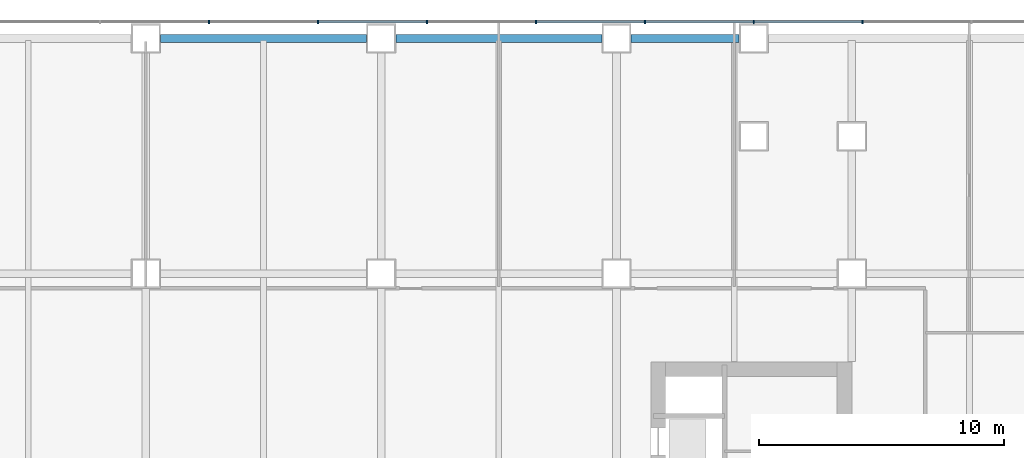
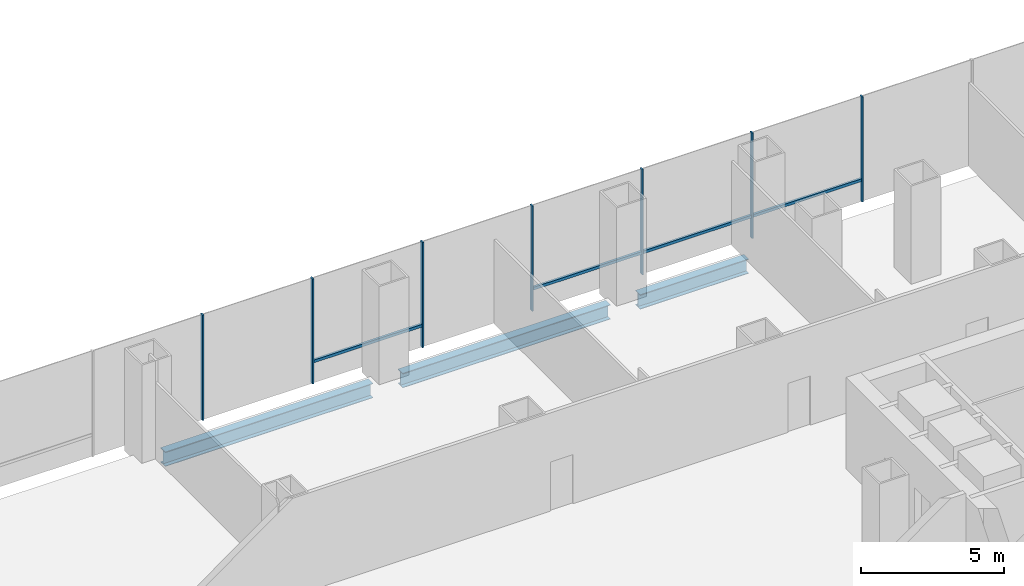
# One storey, part 11 of 23: 11 members, 3 beams, 1 element without a shape of its own.
"""IFC4 building model written with IfcOpenShell, lengths in metres."""

from ifc_helpers import new_model, si_unit, direction, frame, origin, origin_2d, place, context, subcontext, project, spatial, rectangle, i_section, extrude, material, material_profile, profile_set, type_object, element, aggregate, save


model = new_model("IFC4")

# Units and contexts
model_context = context("Model", 3, precision=1e-05, world=origin(), true_north=direction((0.0, 1.0)))
body_context = subcontext(model_context, "Body", "Model", "MODEL_VIEW")
ifc_project = project(units=[si_unit("LENGTHUNIT", "METRE"), si_unit("AREAUNIT", "SQUARE_METRE"), si_unit("VOLUMEUNIT", "CUBIC_METRE"), si_unit("PLANEANGLEUNIT", "RADIAN"), si_unit("MASSUNIT", "GRAM", prefix="KILO")], contexts=[model_context])

# Site, building, storey
site_placement = place(None, origin())
site = spatial("IfcSite", under=ifc_project, at=site_placement, CompositionType="ELEMENT")
building_placement = place(site_placement, origin())
building = spatial("IfcBuilding", under=site, at=building_placement, Name="Cobrizo Arcos Hotel Tower", CompositionType="ELEMENT")
storey_placement = place(building_placement, frame((0.0, 0.0, 29.0)))
storey = spatial("IfcBuildingStorey", under=building, at=storey_placement, Name="L05", CompositionType="ELEMENT", Elevation=29.0)

# Curtain wall, members
ifc_material_1 = material(Name="Aluminium 6063-T6 anodised bronze", Category="aluminium")
curtain_wall_type = type_object("IfcCurtainWallType", Name="CW-A guest facade", PredefinedType="NOTDEFINED", material=ifc_material_1)
curtain_wall_placement = place(storey_placement, origin())
curtain_wall = element("IfcCurtainWall", 1, at=curtain_wall_placement, inside=storey, type_object=curtain_wall_type, Name="CW-A L05 N face", PredefinedType="NOTDEFINED")
ifc_material_profile_1 = material_profile(ifc_material_1, rectangle(XDim=0.14990234375, YDim=0.06005859375, at=origin_2d()), Name="CW-A mullion 150x60")
ifc_profile_set_1 = profile_set([ifc_material_profile_1], Name="Aluminium 6063-T6 anodised bronze")
member_type_1 = type_object("IfcMemberType", Name="CW-A mullion 150x60", PredefinedType="MULLION", material=ifc_profile_set_1)
member_1_placement = place(storey_placement, frame((24.4443359375, 24.675048828125, 0.0), z_axis=(0.0, 0.0, 1.0), x_axis=(0.0, 1.0, 0.0)))
member_1 = element("IfcMember", 2, at=member_1_placement, type_object=member_type_1, Name="CW-A mullion 4", PredefinedType="MULLION", context=body_context, shape_type="SweptSolid", body=[
    extrude(rectangle(XDim=0.14990234375, YDim=0.06005859375, at=origin_2d()), origin(), (0.0, 0.0, 1.0), 4.5),
])
member_2_placement = place(storey_placement, frame((20.0, 24.675048828125, 0.0), z_axis=(0.0, 0.0, 1.0), x_axis=(0.0, 1.0, 0.0)))
member_2 = element("IfcMember", 3, at=member_2_placement, type_object=member_type_1, Name="CW-A mullion 5", PredefinedType="MULLION", context=body_context, shape_type="SweptSolid", body=[
    extrude(rectangle(XDim=0.14990234375, YDim=0.06005859375, at=origin_2d()), origin(), (0.0, 0.0, 1.0), 4.5),
])
member_3_placement = place(storey_placement, frame((15.5556640625, 24.675048828125, 0.0), z_axis=(0.0, 0.0, 1.0), x_axis=(0.0, 1.0, 0.0)))
member_3 = element("IfcMember", 4, at=member_3_placement, type_object=member_type_1, Name="CW-A mullion 6", PredefinedType="MULLION", context=body_context, shape_type="SweptSolid", body=[
    extrude(rectangle(XDim=0.14990234375, YDim=0.06005859375, at=origin_2d()), origin(), (0.0, 0.0, 1.0), 4.5),
])
member_4_placement = place(storey_placement, frame((11.111083984375, 24.675048828125, 0.0), z_axis=(0.0, 0.0, 1.0), x_axis=(0.0, 1.0, 0.0)))
member_4 = element("IfcMember", 5, at=member_4_placement, type_object=member_type_1, Name="CW-A mullion 7", PredefinedType="MULLION", context=body_context, shape_type="SweptSolid", body=[
    extrude(rectangle(XDim=0.14990234375, YDim=0.06005859375, at=origin_2d()), origin(), (0.0, 0.0, 1.0), 4.5),
])
member_5_placement = place(storey_placement, frame((6.666748046875, 24.675048828125, 0.0), z_axis=(0.0, 0.0, 1.0), x_axis=(0.0, 1.0, 0.0)))
member_5 = element("IfcMember", 6, at=member_5_placement, type_object=member_type_1, Name="CW-A mullion 8", PredefinedType="MULLION", context=body_context, shape_type="SweptSolid", body=[
    extrude(rectangle(XDim=0.14990234375, YDim=0.06005859375, at=origin_2d()), origin(), (0.0, 0.0, 1.0), 4.5),
])
member_6_placement = place(storey_placement, frame((2.22216796875, 24.675048828125, 0.0), z_axis=(0.0, 0.0, 1.0), x_axis=(0.0, 1.0, 0.0)))
member_6 = element("IfcMember", 7, at=member_6_placement, type_object=member_type_1, Name="CW-A mullion 9", PredefinedType="MULLION", context=body_context, shape_type="SweptSolid", body=[
    extrude(rectangle(XDim=0.14990234375, YDim=0.06005859375, at=origin_2d()), origin(), (0.0, 0.0, 1.0), 4.5),
])
member_7_placement = place(storey_placement, frame((-2.22216796875, 24.675048828125, 0.0), z_axis=(0.0, 0.0, 1.0), x_axis=(0.0, 1.0, 0.0)))
member_7 = element("IfcMember", 8, at=member_7_placement, type_object=member_type_1, Name="CW-A mullion 10", PredefinedType="MULLION", context=body_context, shape_type="SweptSolid", body=[
    extrude(rectangle(XDim=0.14990234375, YDim=0.06005859375, at=origin_2d()), origin(), (0.0, 0.0, 1.0), 4.5),
])
ifc_material_profile_2 = material_profile(ifc_material_1, rectangle(XDim=0.10009765625, YDim=0.1201171875, at=origin_2d()), Name="CW-A transom 120x100")
ifc_profile_set_2 = profile_set([ifc_material_profile_2], Name="Aluminium 6063-T6 anodised bronze")
member_type_2 = type_object("IfcMemberType", Name="CW-A transom 120x100", PredefinedType="USERDEFINED", material=ifc_profile_set_2)
member_8_placement = place(storey_placement, frame((24.41455078125, 24.675048828125, 0.929931640625), z_axis=(-1.0, 0.0, 0.0), x_axis=(0.0, -1.0, 0.0)))
member_8 = element("IfcMember", 9, at=member_8_placement, type_object=member_type_2, Name="CW-A transom 282", ObjectType="TRANSOM", PredefinedType="USERDEFINED", context=body_context, shape_type="SweptSolid", body=[
    extrude(rectangle(XDim=0.10009765625, YDim=0.1201171875, at=origin_2d()), origin(), (0.0, 0.0, 1.0), 4.384521484375),
])
member_9_placement = place(storey_placement, frame((19.969970703125, 24.675048828125, 0.929931640625), z_axis=(-1.0, 0.0, 0.0), x_axis=(0.0, -1.0, 0.0)))
member_9 = element("IfcMember", 10, at=member_9_placement, type_object=member_type_2, Name="CW-A transom 283", ObjectType="TRANSOM", PredefinedType="USERDEFINED", context=body_context, shape_type="SweptSolid", body=[
    extrude(rectangle(XDim=0.10009765625, YDim=0.1201171875, at=origin_2d()), origin(), (0.0, 0.0, 1.0), 4.384521484375),
])
member_10_placement = place(storey_placement, frame((15.525634765625, 24.675048828125, 0.929931640625), z_axis=(-1.0, 0.0, 0.0), x_axis=(0.0, -1.0, 0.0)))
member_10 = element("IfcMember", 11, at=member_10_placement, type_object=member_type_2, Name="CW-A transom 284", ObjectType="TRANSOM", PredefinedType="USERDEFINED", context=body_context, shape_type="SweptSolid", body=[
    extrude(rectangle(XDim=0.10009765625, YDim=0.1201171875, at=origin_2d()), origin(), (0.0, 0.0, 1.0), 4.384521484375),
])
member_11_placement = place(storey_placement, frame((6.63671875, 24.675048828125, 0.929931640625), z_axis=(-1.0, 0.0, 0.0), x_axis=(0.0, -1.0, 0.0)))
member_11 = element("IfcMember", 12, at=member_11_placement, type_object=member_type_2, Name="CW-A transom 286", ObjectType="TRANSOM", PredefinedType="USERDEFINED", context=body_context, shape_type="SweptSolid", body=[
    extrude(rectangle(XDim=0.10009765625, YDim=0.1201171875, at=origin_2d()), origin(), (0.0, 0.0, 1.0), 4.384521484375),
])
aggregate(curtain_wall, [member_1, member_2, member_3, member_4, member_5, member_6, member_7, member_8, member_9, member_10, member_11])

# Beams
ifc_material_2 = material(Name="Steel ASTM A992 Grade 50", Category="steel")
ifc_material_profile_3 = material_profile(ifc_material_2, i_section(OverallWidth=0.32763671875, OverallDepth=0.622314453125, WebThickness=0.015380859375, FlangeThickness=0.0244140625, at=origin_2d()), Name="W24X131")
ifc_profile_set_3 = profile_set([ifc_material_profile_3], Name="Steel ASTM A992 Grade 50")
beam_type = type_object("IfcBeamType", Name="W24X131 spandrel", PredefinedType="SPANDREL", material=ifc_profile_set_3)
beam_1_placement = place(storey_placement, frame((19.39990234375, 24.0, -0.51123046875), z_axis=(-1.0, 0.0, 0.0), x_axis=(0.0, -1.0, 0.0)))
element("IfcBeam", 13, at=beam_1_placement, inside=storey, type_object=beam_type, Name="Spandrel beam W24X131, L05, no. 002", PredefinedType="SPANDREL", context=body_context, shape_type="SweptSolid", body=[
    extrude(i_section(OverallWidth=0.32763671875, OverallDepth=0.622314453125, WebThickness=0.015380859375, FlangeThickness=0.0244140625, at=origin_2d()), origin(), (0.0, 0.0, 1.0), 4.39990234375),
])
beam_2_placement = place(storey_placement, frame((13.800048828125, 24.0, -0.51123046875), z_axis=(-1.0, 0.0, 0.0), x_axis=(0.0, -1.0, 0.0)))
element("IfcBeam", 14, at=beam_2_placement, inside=storey, type_object=beam_type, Name="Spandrel beam W24X131, L05, no. 003", PredefinedType="SPANDREL", context=body_context, shape_type="SweptSolid", body=[
    extrude(i_section(OverallWidth=0.32763671875, OverallDepth=0.622314453125, WebThickness=0.015380859375, FlangeThickness=0.0244140625, at=origin_2d()), origin(), (0.0, 0.0, 1.0), 8.400146484375),
])
beam_3_placement = place(storey_placement, frame((4.199951171875, 24.0, -0.51123046875), z_axis=(-1.0, 0.0, 0.0), x_axis=(0.0, -1.0, 0.0)))
element("IfcBeam", 15, at=beam_3_placement, inside=storey, type_object=beam_type, Name="Spandrel beam W24X131, L05, no. 004", PredefinedType="SPANDREL", context=body_context, shape_type="SweptSolid", body=[
    extrude(i_section(OverallWidth=0.32763671875, OverallDepth=0.622314453125, WebThickness=0.015380859375, FlangeThickness=0.0244140625, at=origin_2d()), origin(), (0.0, 0.0, 1.0), 8.39990234375),
])

save(model, "model.ifc")
